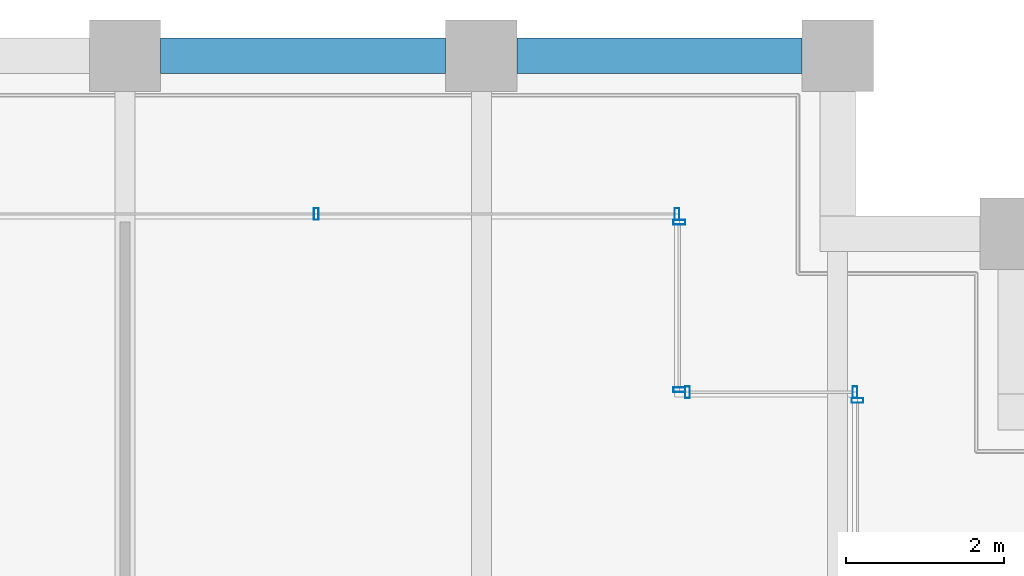
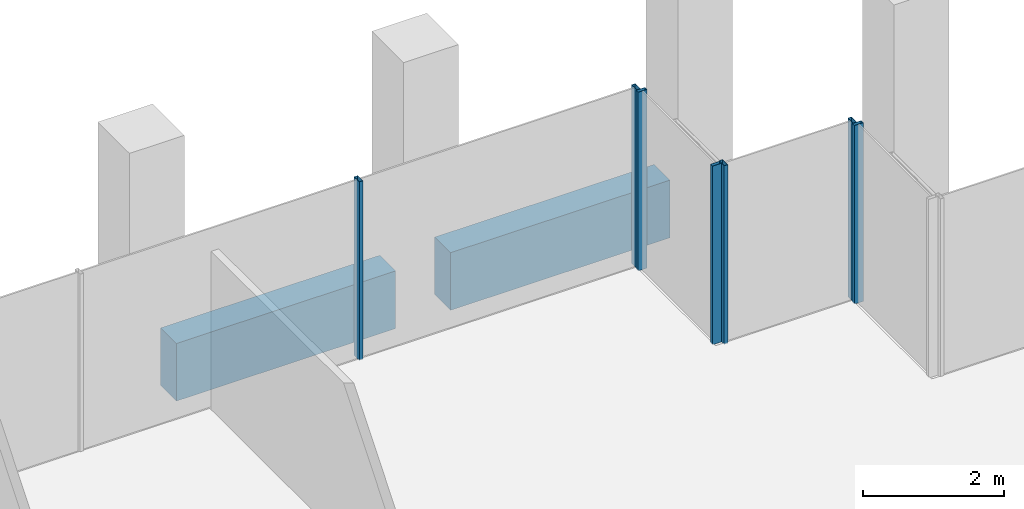
# One storey, part 26 of 40: 7 members, 2 beams, 4 elements without a shape of their own.
"""IFC4 building model written with IfcOpenShell, lengths in metres."""

from ifc_helpers import new_model, si_unit, direction, frame, origin, origin_2d, place, context, subcontext, project, spatial, rectangle, hollow_rectangle, extrude, material, material_profile, profile_set, type_object, element, aggregate, save


model = new_model("IFC4")

# Units and contexts
model_context = context("Model", 3, precision=1e-05, world=origin(), true_north=direction((0.0, 1.0)))
body_context = subcontext(model_context, "Body", "Model", "MODEL_VIEW")
ifc_project = project(units=[si_unit("LENGTHUNIT", "METRE"), si_unit("AREAUNIT", "SQUARE_METRE"), si_unit("VOLUMEUNIT", "CUBIC_METRE"), si_unit("PLANEANGLEUNIT", "RADIAN"), si_unit("MASSUNIT", "GRAM", prefix="KILO")], contexts=[model_context])

# Site, building, storey
site_placement = place(None, origin())
site = spatial("IfcSite", under=ifc_project, at=site_placement, CompositionType="ELEMENT")
building_placement = place(site_placement, origin())
building = spatial("IfcBuilding", under=site, at=building_placement, Name="Altepetl Exchange Towers", CompositionType="ELEMENT")
storey_placement = place(building_placement, frame((0.0, 0.0, 165.39990234375)))
storey = spatial("IfcBuildingStorey", under=building, at=storey_placement, Name="L41", CompositionType="ELEMENT", Elevation=165.39990234375)

# Curtain wall, member
ifc_material_1 = material(Name="Aluminium 6063-T6 glazing", Category="aluminium")
curtain_wall_type = type_object("IfcCurtainWallType", Name="Loggia glazing system", PredefinedType="NOTDEFINED", material=ifc_material_1)
curtain_wall_1_placement = place(storey_placement, origin())
curtain_wall_1 = element("IfcCurtainWall", 1, at=curtain_wall_1_placement, inside=storey, type_object=curtain_wall_type, Name="CW1 run", PredefinedType="NOTDEFINED")
ifc_material_2 = material(Name="Aluminium 6063-T6", Category="aluminium")
ifc_material_profile_1 = material_profile(ifc_material_2, hollow_rectangle(XDim=0.06005859375, YDim=0.14990234375, WallThickness=0.0029296875, at=origin_2d()), Name="Mullion 60x150 aluminium")
ifc_profile_set_1 = profile_set([ifc_material_profile_1], Name="Aluminium 6063-T6")
member_type = type_object("IfcMemberType", Name="Mullion 60x150 aluminium", PredefinedType="MULLION", material=ifc_profile_set_1)
member_1_placement = place(storey_placement, frame((67.75, 67.64501953125, 0.0), z_axis=(0.0, 0.0, 1.0), x_axis=(0.0, 1.0, 0.0)))
member_1 = element("IfcMember", 2, at=member_1_placement, type_object=member_type, Name="MU1 mullion", PredefinedType="MULLION", context=body_context, shape_type="SweptSolid", body=[
    extrude(hollow_rectangle(XDim=0.06005859375, YDim=0.14990234375, WallThickness=0.0029296875, at=origin_2d()), origin(), (0.0, 0.0, 1.0), 3.10009765625),
])
aggregate(curtain_wall_1, [member_1])

# Curtain wall, members
curtain_wall_2_placement = place(storey_placement, origin())
curtain_wall_2 = element("IfcCurtainWall", 3, at=curtain_wall_2_placement, inside=storey, type_object=curtain_wall_type, Name="CW1 run", PredefinedType="NOTDEFINED")
member_2_placement = place(storey_placement, frame((67.719970703125, 67.75, 0.0), z_axis=(0.0, 0.0, 1.0), x_axis=(-1.0, 0.0, 0.0)))
member_2 = element("IfcMember", 4, at=member_2_placement, type_object=member_type, Name="MU1 mullion", PredefinedType="MULLION", context=body_context, shape_type="SweptSolid", body=[
    extrude(hollow_rectangle(XDim=0.06005859375, YDim=0.14990234375, WallThickness=0.0029296875, at=origin_2d()), origin(), (0.0, 0.0, 1.0), 3.10009765625),
])
member_3_placement = place(storey_placement, frame((65.60498046875, 67.75, 0.0), z_axis=(0.0, 0.0, 1.0), x_axis=(-1.0, 0.0, 0.0)))
member_3 = element("IfcMember", 5, at=member_3_placement, type_object=member_type, Name="MU1 mullion", PredefinedType="MULLION", context=body_context, shape_type="SweptSolid", body=[
    extrude(hollow_rectangle(XDim=0.06005859375, YDim=0.14990234375, WallThickness=0.0029296875, at=origin_2d()), origin(), (0.0, 0.0, 1.0), 3.10009765625),
])
aggregate(curtain_wall_2, [member_2, member_3])

curtain_wall_3_placement = place(storey_placement, origin())
curtain_wall_3 = element("IfcCurtainWall", 6, at=curtain_wall_3_placement, inside=storey, type_object=curtain_wall_type, Name="CW1 run", PredefinedType="NOTDEFINED")
member_4_placement = place(storey_placement, frame((65.5, 67.780029296875, 0.0), z_axis=(0.0, 0.0, 1.0), x_axis=(0.0, 1.0, 0.0)))
member_4 = element("IfcMember", 7, at=member_4_placement, type_object=member_type, Name="MU1 mullion", PredefinedType="MULLION", context=body_context, shape_type="SweptSolid", body=[
    extrude(hollow_rectangle(XDim=0.06005859375, YDim=0.14990234375, WallThickness=0.0029296875, at=origin_2d()), origin(), (0.0, 0.0, 1.0), 3.10009765625),
])
member_5_placement = place(storey_placement, frame((65.5, 69.89501953125, 0.0), z_axis=(0.0, 0.0, 1.0), x_axis=(0.0, 1.0, 0.0)))
member_5 = element("IfcMember", 8, at=member_5_placement, type_object=member_type, Name="MU1 mullion", PredefinedType="MULLION", context=body_context, shape_type="SweptSolid", body=[
    extrude(hollow_rectangle(XDim=0.06005859375, YDim=0.14990234375, WallThickness=0.0029296875, at=origin_2d()), origin(), (0.0, 0.0, 1.0), 3.10009765625),
])
aggregate(curtain_wall_3, [member_4, member_5])

curtain_wall_4_placement = place(storey_placement, origin())
curtain_wall_4 = element("IfcCurtainWall", 9, at=curtain_wall_4_placement, inside=storey, type_object=curtain_wall_type, Name="CW1 run", PredefinedType="NOTDEFINED")
member_6_placement = place(storey_placement, frame((65.469970703125, 70.0, 0.0), z_axis=(0.0, 0.0, 1.0), x_axis=(-1.0, 0.0, 0.0)))
member_6 = element("IfcMember", 10, at=member_6_placement, type_object=member_type, Name="MU1 mullion", PredefinedType="MULLION", context=body_context, shape_type="SweptSolid", body=[
    extrude(hollow_rectangle(XDim=0.06005859375, YDim=0.14990234375, WallThickness=0.0029296875, at=origin_2d()), origin(), (0.0, 0.0, 1.0), 3.10009765625),
])
member_7_placement = place(storey_placement, frame((60.9150390625, 70.0, 0.0), z_axis=(0.0, 0.0, 1.0), x_axis=(-1.0, 0.0, 0.0)))
member_7 = element("IfcMember", 11, at=member_7_placement, type_object=member_type, Name="MU1 mullion", PredefinedType="MULLION", context=body_context, shape_type="SweptSolid", body=[
    extrude(hollow_rectangle(XDim=0.06005859375, YDim=0.14990234375, WallThickness=0.0029296875, at=origin_2d()), origin(), (0.0, 0.0, 1.0), 3.10009765625),
])
aggregate(curtain_wall_4, [member_6, member_7])

# Beams
ifc_material_3 = material(Name="Concrete C50/60 precast with cantera rosa facing", Category="concrete")
ifc_material_profile_2 = material_profile(ifc_material_3, rectangle(XDim=0.449951171875, YDim=1.0, at=origin_2d()), Name="450 x 1000")
ifc_profile_set_2 = profile_set([ifc_material_profile_2], Name="Concrete C50/60 precast with cantera rosa facing")
beam_type = type_object("IfcBeamType", Name="Spandrel beam 450x1000 cantera rosa", PredefinedType="SPANDREL", material=ifc_profile_set_2)
for number, where, z_axis, x_axis, name in (
    (12, (67.050048828125, 72.0, -0.64990234375), (-1.0, 0.0, 0.0), (0.0, -1.0, 0.0), "sp:A:L41:024"),
    (13, (62.550048828125, 72.0, -0.64990234375), (-1.0, 0.0, 0.0), (0.0, -1.0, 0.0), "sp:A:L41:025"),
):
    element("IfcBeam", number, at=place(storey_placement, frame(where, z_axis=z_axis, x_axis=x_axis)), inside=storey, type_object=beam_type, Name=name, PredefinedType="SPANDREL", context=body_context, shape_type="SweptSolid", body=[
        extrude(rectangle(XDim=0.449951171875, YDim=1.0, at=origin_2d()), origin(), (0.0, 0.0, 1.0), 3.60009765625),
    ])

save(model, "model.ifc")
